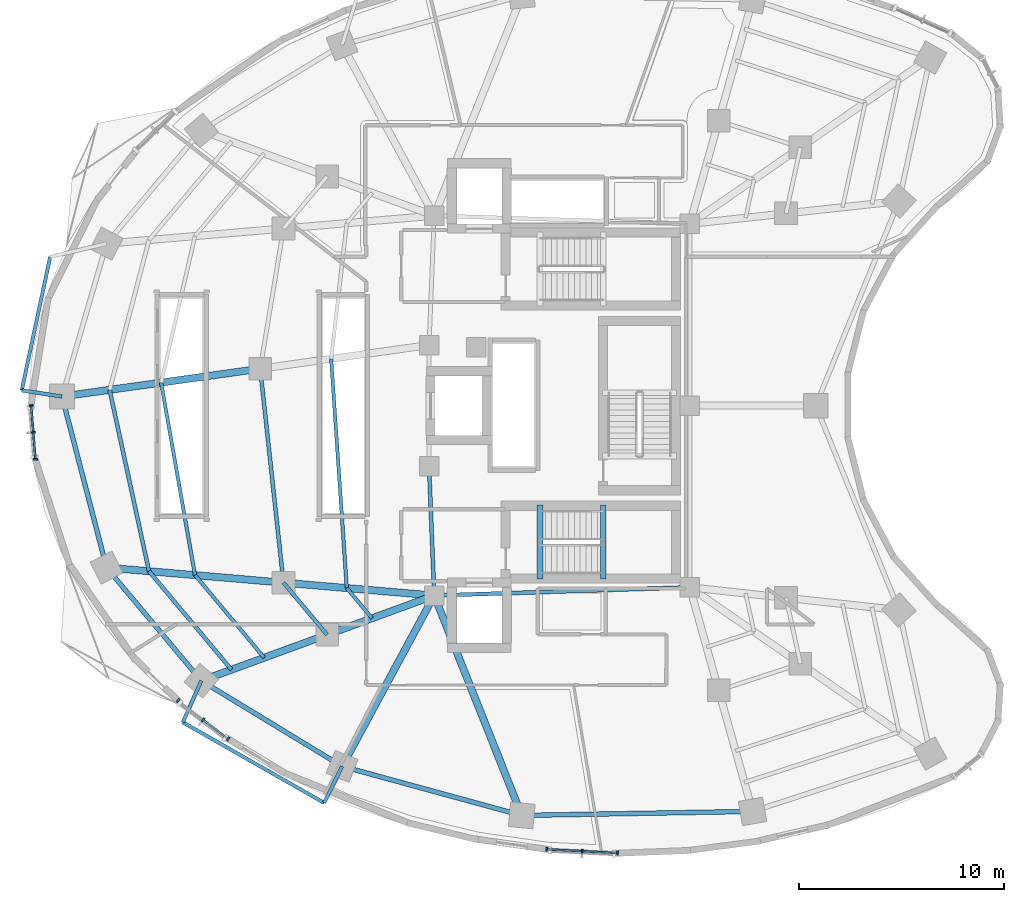
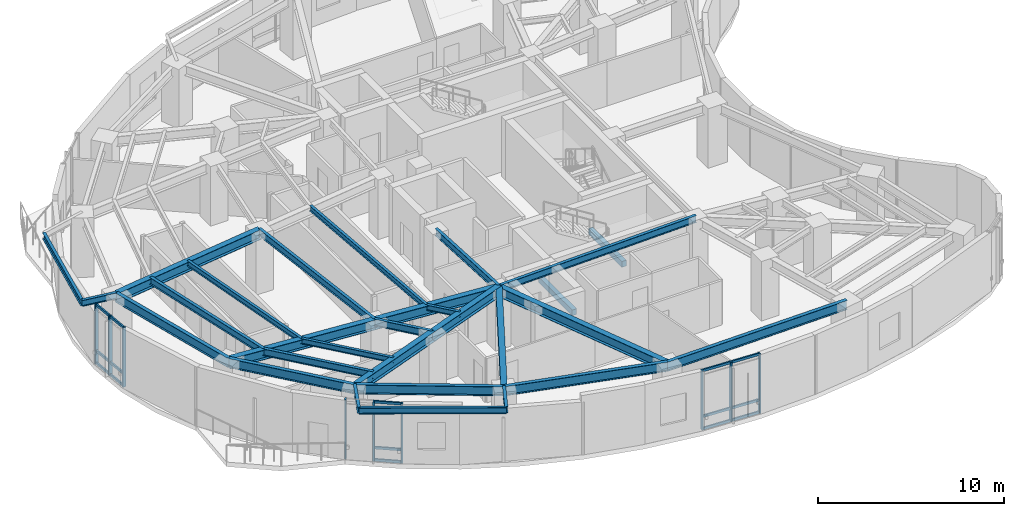
# One storey, part 2 of 14: 29 beams, 24 members, 3 elements without a shape of their own.
"""IFC4 building model written with IfcOpenShell, lengths in metres."""

from ifc_helpers import new_model, si_unit, direction, frame, origin, origin_2d, place, context, subcontext, project, spatial, rectangle, i_section, extrude, material, layer, layer_set, material_profile, profile_set, type_object, element, aggregate, save


model = new_model("IFC4")

# Units and contexts
model_context = context("Model", 3, precision=1e-05, world=origin(), true_north=direction((0.0, 1.0)))
body_context = subcontext(model_context, "Body", "Model", "MODEL_VIEW")
ifc_project = project(units=[si_unit("LENGTHUNIT", "METRE"), si_unit("AREAUNIT", "SQUARE_METRE"), si_unit("VOLUMEUNIT", "CUBIC_METRE"), si_unit("PLANEANGLEUNIT", "RADIAN"), si_unit("MASSUNIT", "GRAM", prefix="KILO")], contexts=[model_context])

# Site, building, storey
site_placement = place(None, origin())
site = spatial("IfcSite", under=ifc_project, at=site_placement, CompositionType="ELEMENT")
building_placement = place(site_placement, origin())
building = spatial("IfcBuilding", under=site, at=building_placement, Name="Korentha Bioscience Tower", CompositionType="ELEMENT")
storey_placement = place(building_placement, frame((0.0, 0.0, 132.0)))
storey = spatial("IfcBuildingStorey", under=building, at=storey_placement, Name="L30", CompositionType="ELEMENT", Elevation=132.0)

# Beams
ifc_material_1 = material(Name="Concrete C50", Category="concrete")
ifc_material_profile_1 = material_profile(ifc_material_1, rectangle(XDim=0.280029296875, YDim=0.3798828125, at=origin_2d()), Name="Concrete C50")
ifc_profile_set_1 = profile_set([ifc_material_profile_1], Name="Concrete C50 (ST-HB380)")
beam_type_1 = type_object("IfcBeamType", Name="Concrete Stair Header Beam RC 280x380", PredefinedType="BEAM", material=ifc_profile_set_1)
for number, where, z_axis, x_axis, name in (
    (1, (30.25, 18.550048828125, -0.18994140625), (0.0, 1.0, 0.0), (-1.0, 0.0, 0.0), "L30 ST-2 Concrete Stair Header Beam"),
    (2, (33.330078125, 18.550048828125, 1.909912109375), (0.0, 1.0, 0.0), (-1.0, 0.0, 0.0), "L30 ST-2 Half-Landing Header Beam 1"),
):
    element("IfcBeam", number, at=place(storey_placement, frame(where, z_axis=z_axis, x_axis=x_axis)), inside=storey, type_object=beam_type_1, Name=name, PredefinedType="BEAM", context=body_context, shape_type="SweptSolid", body=[
        extrude(rectangle(XDim=0.280029296875, YDim=0.3798828125, at=origin_2d()), origin(), (0.0, 0.0, 1.0), 3.599853515625),
    ])
ifc_material_2 = material(Name="Steel S355", Category="steel")
ifc_material_profile_2 = material_profile(ifc_material_2, i_section(OverallWidth=0.18994140625, OverallDepth=0.45703125, WebThickness=0.009033203125, FlangeThickness=0.014404296875, at=origin_2d()), Name="Steel S355")
ifc_profile_set_2 = profile_set([ifc_material_profile_2], Name="Steel S355 (MB-460)")
beam_type_2 = type_object("IfcBeamType", Name="Mid-Ring Tie Girder W460x74", PredefinedType="BEAM", material=ifc_profile_set_2)
beam_1_placement = place(storey_placement, frame((16.627197265625, 28.796630859375, 3.67138671875), z_axis=(0.108002632645, -0.994150607977, 0.0), x_axis=(0.994150607977, 0.108002632645, 0.0)))
element("IfcBeam", 3, at=beam_1_placement, inside=storey, type_object=beam_type_2, Name="L30 Mid-Ring Tie Girder 07", PredefinedType="BEAM", context=body_context, shape_type="SweptSolid", body=[
    extrude(i_section(OverallWidth=0.18994140625, OverallDepth=0.45703125, WebThickness=0.009033203125, FlangeThickness=0.014404296875, at=origin_2d()), origin(), (0.0, 0.0, 1.0), 10.48193359375),
])
beam_2_placement = place(storey_placement, frame((17.75927734375, 18.3759765625, 3.67138671875), z_axis=(0.642121371708, -0.766602989817, 0.0), x_axis=(0.766602989817, 0.642121371708, 0.0)))
element("IfcBeam", 4, at=beam_2_placement, inside=storey, type_object=beam_type_2, Name="L30 Mid-Ring Tie Girder 08", PredefinedType="BEAM", context=body_context, shape_type="SweptSolid", body=[
    extrude(i_section(OverallWidth=0.18994140625, OverallDepth=0.45703125, WebThickness=0.009033203125, FlangeThickness=0.014404296875, at=origin_2d()), origin(), (0.0, 0.0, 1.0), 3.306640625),
])
beam_3_placement = place(storey_placement, frame((24.85009765625, 24.050048828125, 3.67138671875), z_axis=(0.039651025576, -0.999213588864, 0.0), x_axis=(0.999213588864, 0.039651025576, 0.0)))
element("IfcBeam", 5, at=beam_3_placement, inside=storey, type_object=beam_type_2, Name="L30 Core Ring Tie Girder 04", PredefinedType="BEAM", context=body_context, shape_type="SweptSolid", body=[
    extrude(i_section(OverallWidth=0.18994140625, OverallDepth=0.45703125, WebThickness=0.009033203125, FlangeThickness=0.014404296875, at=origin_2d()), origin(), (0.0, 0.0, 1.0), 6.304931640625),
])
beam_4_placement = place(storey_placement, frame((25.10009765625, 17.75, 3.67138671875), z_axis=(0.999484526071, 0.032104238723, 0.0), x_axis=(-0.032104238723, 0.999484526071, 0.0)))
element("IfcBeam", 6, at=beam_4_placement, inside=storey, type_object=beam_type_2, Name="L30 Core Ring Tie Girder 05", PredefinedType="BEAM", context=body_context, shape_type="SweptSolid", body=[
    extrude(i_section(OverallWidth=0.18994140625, OverallDepth=0.45703125, WebThickness=0.009033203125, FlangeThickness=0.014404296875, at=origin_2d()), origin(), (0.0, 0.0, 1.0), 12.456298828125),
])

# Curtain wall, members
ifc_material_3 = material(Name="Thermally Broken Aluminium Frame", Category="aluminium")
ifc_layer = layer(ifc_material_3, 0.219970703125, Name="Thermally Broken Aluminium Frame")
ifc_layer_set = layer_set([ifc_layer], Name="Thermally Broken Aluminium Frame (CW-T2)")
curtain_wall_type = type_object("IfcCurtainWallType", Name="Solar-Screened Lab Unitised Curtain Wall CW-T2", PredefinedType="USERDEFINED", material=ifc_layer_set)
curtain_wall_1_placement = place(storey_placement, origin())
curtain_wall_1 = element("IfcCurtainWall", 7, at=curtain_wall_1_placement, inside=storey, type_object=curtain_wall_type, Name="L30 Curtain Wall 19", ObjectType="UNITISED", PredefinedType="USERDEFINED")
ifc_material_4 = material(Name="Anodised Aluminium 6063-T6", Category="aluminium")
ifc_material_profile_3 = material_profile(ifc_material_4, rectangle(XDim=0.090087890625, YDim=0.199951171875, at=origin_2d()), Name="Anodised Aluminium 6063-T6")
ifc_profile_set_3 = profile_set([ifc_material_profile_3], Name="Anodised Aluminium 6063-T6 (CW-MUL)")
member_type_1 = type_object("IfcMemberType", Name="Mullion RECT 90x200", PredefinedType="MULLION", material=ifc_profile_set_3)
member_1_placement = place(storey_placement, frame((5.473876953125, 27.0078125, 0.0), z_axis=(0.0, 0.0, 1.0), x_axis=(0.079130214674, -0.996864288219, 0.0)))
member_1 = element("IfcMember", 8, at=member_1_placement, type_object=member_type_1, Name="CW-L30-19 Mullion 1", PredefinedType="MULLION", context=body_context, shape_type="SweptSolid", body=[
    extrude(rectangle(XDim=0.090087890625, YDim=0.199951171875, at=origin_2d()), origin(), (0.0, 0.0, 1.0), 3.89990234375),
])
member_2_placement = place(storey_placement, frame((5.577880859375, 25.6962890625, 0.0), z_axis=(0.0, 0.0, 1.0), x_axis=(0.079130214674, -0.996864288219, 0.0)))
member_2 = element("IfcMember", 9, at=member_2_placement, type_object=member_type_1, Name="CW-L30-19 Mullion 2", PredefinedType="MULLION", context=body_context, shape_type="SweptSolid", body=[
    extrude(rectangle(XDim=0.090087890625, YDim=0.199951171875, at=origin_2d()), origin(), (0.0, 0.0, 1.0), 3.89990234375),
])
member_3_placement = place(storey_placement, frame((5.681884765625, 24.38525390625, 0.0), z_axis=(0.0, 0.0, 1.0), x_axis=(0.079130214674, -0.996864288219, 0.0)))
member_3 = element("IfcMember", 10, at=member_3_placement, type_object=member_type_1, Name="CW-L30-19 Mullion 3", PredefinedType="MULLION", context=body_context, shape_type="SweptSolid", body=[
    extrude(rectangle(XDim=0.090087890625, YDim=0.199951171875, at=origin_2d()), origin(), (0.0, 0.0, 1.0), 3.89990234375),
])

curtain_wall_2_placement = place(storey_placement, origin())
curtain_wall_2 = element("IfcCurtainWall", 11, at=curtain_wall_2_placement, inside=storey, type_object=curtain_wall_type, Name="L30 Curtain Wall 25", ObjectType="UNITISED", PredefinedType="USERDEFINED")
member_4_placement = place(storey_placement, frame((12.624267578125, 12.62890625, 0.0), z_axis=(0.0, 0.0, 1.0), x_axis=(0.794499603893, -0.607264669986, 0.0)))
member_4 = element("IfcMember", 12, at=member_4_placement, type_object=member_type_1, Name="CW-L30-25 Mullion 1", PredefinedType="MULLION", context=body_context, shape_type="SweptSolid", body=[
    extrude(rectangle(XDim=0.090087890625, YDim=0.199951171875, at=origin_2d()), origin(), (0.0, 0.0, 1.0), 3.89990234375),
])
member_5_placement = place(storey_placement, frame((13.844970703125, 11.69580078125, 0.0), z_axis=(0.0, 0.0, 1.0), x_axis=(0.794499603893, -0.607264669986, 0.0)))
member_5 = element("IfcMember", 13, at=member_5_placement, type_object=member_type_1, Name="CW-L30-25 Mullion 2", PredefinedType="MULLION", context=body_context, shape_type="SweptSolid", body=[
    extrude(rectangle(XDim=0.090087890625, YDim=0.199951171875, at=origin_2d()), origin(), (0.0, 0.0, 1.0), 3.89990234375),
])
member_6_placement = place(storey_placement, frame((15.0654296875, 10.7626953125, 0.0), z_axis=(0.0, 0.0, 1.0), x_axis=(0.794499603893, -0.607264669986, 0.0)))
member_6 = element("IfcMember", 14, at=member_6_placement, type_object=member_type_1, Name="CW-L30-25 Mullion 3", PredefinedType="MULLION", context=body_context, shape_type="SweptSolid", body=[
    extrude(rectangle(XDim=0.090087890625, YDim=0.199951171875, at=origin_2d()), origin(), (0.0, 0.0, 1.0), 3.89990234375),
])

curtain_wall_3_placement = place(storey_placement, origin())
curtain_wall_3 = element("IfcCurtainWall", 15, at=curtain_wall_3_placement, inside=storey, type_object=curtain_wall_type, Name="L30 Curtain Wall 31", ObjectType="UNITISED", PredefinedType="USERDEFINED")
member_7_placement = place(storey_placement, frame((30.571533203125, 5.39111328125, 0.0), z_axis=(0.0, 0.0, 1.0), x_axis=(0.998673231344, -0.051495407527, 0.0)))
member_7 = element("IfcMember", 16, at=member_7_placement, type_object=member_type_1, Name="CW-L30-31 Mullion 1", PredefinedType="MULLION", context=body_context, shape_type="SweptSolid", body=[
    extrude(rectangle(XDim=0.090087890625, YDim=0.199951171875, at=origin_2d()), origin(), (0.0, 0.0, 1.0), 3.89990234375),
])
member_8_placement = place(storey_placement, frame((32.301025390625, 5.302001953125, 0.0), z_axis=(0.0, 0.0, 1.0), x_axis=(0.998673231344, -0.051495407527, 0.0)))
member_8 = element("IfcMember", 17, at=member_8_placement, type_object=member_type_1, Name="CW-L30-31 Mullion 2", PredefinedType="MULLION", context=body_context, shape_type="SweptSolid", body=[
    extrude(rectangle(XDim=0.090087890625, YDim=0.199951171875, at=origin_2d()), origin(), (0.0, 0.0, 1.0), 3.89990234375),
])
member_9_placement = place(storey_placement, frame((34.03076171875, 5.212646484375, 0.0), z_axis=(0.0, 0.0, 1.0), x_axis=(0.998673231344, -0.051495407527, 0.0)))
member_9 = element("IfcMember", 18, at=member_9_placement, type_object=member_type_1, Name="CW-L30-31 Mullion 3", PredefinedType="MULLION", context=body_context, shape_type="SweptSolid", body=[
    extrude(rectangle(XDim=0.090087890625, YDim=0.199951171875, at=origin_2d()), origin(), (0.0, 0.0, 1.0), 3.89990234375),
])

# Beams
ifc_material_profile_4 = material_profile(ifc_material_2, i_section(OverallWidth=0.22802734375, OverallDepth=0.60791015625, WebThickness=0.01123046875, FlangeThickness=0.017333984375, at=origin_2d()), Name="Steel S355")
ifc_profile_set_4 = profile_set([ifc_material_profile_4], Name="Steel S355 (SB-610)")
beam_type_3 = type_object("IfcBeamType", Name="Perimeter Ring Spandrel Girder W610x113", PredefinedType="SPANDREL", material=ifc_profile_set_4)
beam_5_placement = place(storey_placement, frame((6.97412109375, 27.4423828125, 3.595947265625), z_axis=(0.251792692694, -0.96778119423, 0.0), x_axis=(0.96778119423, 0.251792692694, 0.0)))
element("IfcBeam", 19, at=beam_5_placement, inside=storey, type_object=beam_type_3, Name="L30 Perimeter Spandrel Girder 07", PredefinedType="SPANDREL", context=body_context, shape_type="SweptSolid", body=[
    extrude(i_section(OverallWidth=0.22802734375, OverallDepth=0.60791015625, WebThickness=0.01123046875, FlangeThickness=0.017333984375, at=origin_2d()), origin(), (0.0, 0.0, 1.0), 8.609130859375),
])
beam_6_placement = place(storey_placement, frame((9.141845703125, 19.110595703125, 3.595947265625), z_axis=(0.642126556076, -0.76659864726, 0.0), x_axis=(0.76659864726, 0.642126556076, 0.0)))
element("IfcBeam", 20, at=beam_6_placement, inside=storey, type_object=beam_type_3, Name="L30 Perimeter Spandrel Girder 08", PredefinedType="SPANDREL", context=body_context, shape_type="SweptSolid", body=[
    extrude(i_section(OverallWidth=0.22802734375, OverallDepth=0.60791015625, WebThickness=0.01123046875, FlangeThickness=0.017333984375, at=origin_2d()), origin(), (0.0, 0.0, 1.0), 7.1884765625),
])
beam_7_placement = place(storey_placement, frame((13.7578125, 13.599853515625, 3.595947265625), z_axis=(0.854461040474, -0.51951547649, 0.0), x_axis=(0.51951547649, 0.854461040474, 0.0)))
element("IfcBeam", 21, at=beam_7_placement, inside=storey, type_object=beam_type_3, Name="L30 Perimeter Spandrel Girder 09", PredefinedType="SPANDREL", context=body_context, shape_type="SweptSolid", body=[
    extrude(i_section(OverallWidth=0.22802734375, OverallDepth=0.60791015625, WebThickness=0.01123046875, FlangeThickness=0.017333984375, at=origin_2d()), origin(), (0.0, 0.0, 1.0), 8.025146484375),
])
beam_8_placement = place(storey_placement, frame((20.614990234375, 9.4306640625, 3.595947265625), z_axis=(0.964659386444, -0.263500034431, 0.0), x_axis=(0.263500034431, 0.964659386444, 0.0)))
element("IfcBeam", 22, at=beam_8_placement, inside=storey, type_object=beam_type_3, Name="L30 Perimeter Spandrel Girder 10", PredefinedType="SPANDREL", context=body_context, shape_type="SweptSolid", body=[
    extrude(i_section(OverallWidth=0.22802734375, OverallDepth=0.60791015625, WebThickness=0.01123046875, FlangeThickness=0.017333984375, at=origin_2d()), origin(), (0.0, 0.0, 1.0), 9.06982421875),
])
beam_9_placement = place(storey_placement, frame((29.3642578125, 7.040771484375, 3.595947265625), z_axis=(0.999850566826, 0.017287105523, 0.0), x_axis=(-0.017287105523, 0.999850566826, 0.0)))
element("IfcBeam", 23, at=beam_9_placement, inside=storey, type_object=beam_type_3, Name="L30 Perimeter Spandrel Girder 11", PredefinedType="SPANDREL", context=body_context, shape_type="SweptSolid", body=[
    extrude(i_section(OverallWidth=0.22802734375, OverallDepth=0.60791015625, WebThickness=0.01123046875, FlangeThickness=0.017333984375, at=origin_2d()), origin(), (0.0, 0.0, 1.0), 11.24169921875),
])
ifc_material_profile_5 = material_profile(ifc_material_2, i_section(OverallWidth=0.18994140625, OverallDepth=0.45703125, WebThickness=0.009033203125, FlangeThickness=0.014404296875, at=origin_2d()), Name="Steel S355")
ifc_profile_set_5 = profile_set([ifc_material_profile_5], Name="Steel S355 (RB-460)")
beam_type_4 = type_object("IfcBeamType", Name="Radial Laboratory Beam W460x74", PredefinedType="BEAM", material=ifc_profile_set_5)
beam_10_placement = place(storey_placement, frame((9.291015625, 27.767578125, 3.67138671875), z_axis=(0.212289478944, -0.977206824132, 0.0), x_axis=(0.977206824132, 0.212289478944, 0.0)))
element("IfcBeam", 24, at=beam_10_placement, inside=storey, type_object=beam_type_4, Name="L30 Secondary Floor Beam JSTO-07", PredefinedType="BEAM", context=body_context, shape_type="SweptSolid", body=[
    extrude(i_section(OverallWidth=0.18994140625, OverallDepth=0.45703125, WebThickness=0.009033203125, FlangeThickness=0.014404296875, at=origin_2d()), origin(), (0.0, 0.0, 1.0), 9.039306640625),
])
beam_11_placement = place(storey_placement, frame((11.2099609375, 18.934326171875, 3.67138671875), z_axis=(0.642128156066, -0.766597307057, 0.0), x_axis=(0.766597307057, 0.642128156066, 0.0)))
element("IfcBeam", 25, at=beam_11_placement, inside=storey, type_object=beam_type_4, Name="L30 Secondary Floor Beam JSTO-08", PredefinedType="BEAM", context=body_context, shape_type="SweptSolid", body=[
    extrude(i_section(OverallWidth=0.18994140625, OverallDepth=0.45703125, WebThickness=0.009033203125, FlangeThickness=0.014404296875, at=origin_2d()), origin(), (0.0, 0.0, 1.0), 6.257080078125),
])
ifc_material_profile_6 = material_profile(ifc_material_2, i_section(OverallWidth=0.35009765625, OverallDepth=0.64990234375, WebThickness=0.01611328125, FlangeThickness=0.02490234375, at=origin_2d()), Name="Steel S355")
ifc_profile_set_6 = profile_set([ifc_material_profile_6], Name="Steel S355 (RB-650)")
beam_type_5 = type_object("IfcBeamType", Name="Radial Laboratory Girder CVS 650x208", PredefinedType="BEAM", material=ifc_profile_set_6)
beam_12_placement = place(storey_placement, frame((16.627197265625, 28.796630859375, 3.574951171875), z_axis=(-0.99030201931, -0.138931315944, 0.0), x_axis=(0.138931315944, -0.99030201931, 0.0)))
element("IfcBeam", 26, at=beam_12_placement, inside=storey, type_object=beam_type_5, Name="L30 Outer Radial Girder 07", PredefinedType="BEAM", context=body_context, shape_type="SweptSolid", body=[
    extrude(i_section(OverallWidth=0.35009765625, OverallDepth=0.64990234375, WebThickness=0.01611328125, FlangeThickness=0.02490234375, at=origin_2d()), origin(), (0.0, 0.0, 1.0), 9.74755859375),
])
beam_13_placement = place(storey_placement, frame((25.10009765625, 17.75, 3.574951171875), z_axis=(-0.996383934197, 0.084965026183, 0.0), x_axis=(-0.084965026183, -0.996383934197, 0.0)))
element("IfcBeam", 27, at=beam_13_placement, inside=storey, type_object=beam_type_5, Name="L30 Inner Radial Girder 08", PredefinedType="BEAM", context=body_context, shape_type="SweptSolid", body=[
    extrude(i_section(OverallWidth=0.35009765625, OverallDepth=0.64990234375, WebThickness=0.01611328125, FlangeThickness=0.02490234375, at=origin_2d()), origin(), (0.0, 0.0, 1.0), 7.367431640625),
])
beam_14_placement = place(storey_placement, frame((17.75927734375, 18.3759765625, 3.574951171875), z_axis=(-0.996386071548, 0.084939957767, 0.0), x_axis=(-0.084939957767, -0.996386071548, 0.0)))
element("IfcBeam", 28, at=beam_14_placement, inside=storey, type_object=beam_type_5, Name="L30 Outer Radial Girder 08", PredefinedType="BEAM", context=body_context, shape_type="SweptSolid", body=[
    extrude(i_section(OverallWidth=0.35009765625, OverallDepth=0.64990234375, WebThickness=0.01611328125, FlangeThickness=0.02490234375, at=origin_2d()), origin(), (0.0, 0.0, 1.0), 8.648681640625),
])
beam_15_placement = place(storey_placement, frame((25.10009765625, 17.75, 3.574951171875), z_axis=(-0.939118010396, -0.343594765022, 0.0), x_axis=(0.343594765022, -0.939118010396, 0.0)))
element("IfcBeam", 29, at=beam_15_placement, inside=storey, type_object=beam_type_5, Name="L30 Inner Radial Girder 09", PredefinedType="BEAM", context=body_context, shape_type="SweptSolid", body=[
    extrude(i_section(OverallWidth=0.35009765625, OverallDepth=0.64990234375, WebThickness=0.01611328125, FlangeThickness=0.02490234375, at=origin_2d()), origin(), (0.0, 0.0, 1.0), 5.5556640625),
])
beam_16_placement = place(storey_placement, frame((19.882568359375, 15.841064453125, 3.574951171875), z_axis=(-0.939100755225, -0.343641923425, 0.0), x_axis=(0.343641923425, -0.939100755225, 0.0)))
element("IfcBeam", 30, at=beam_16_placement, inside=storey, type_object=beam_type_5, Name="L30 Outer Radial Girder 09", PredefinedType="BEAM", context=body_context, shape_type="SweptSolid", body=[
    extrude(i_section(OverallWidth=0.35009765625, OverallDepth=0.64990234375, WebThickness=0.01611328125, FlangeThickness=0.02490234375, at=origin_2d()), origin(), (0.0, 0.0, 1.0), 6.52197265625),
])
beam_17_placement = place(storey_placement, frame((25.10009765625, 17.75, 3.574951171875), z_axis=(-0.474548018732, -0.880229616587, 0.0), x_axis=(0.880229616587, -0.474548018732, 0.0)))
element("IfcBeam", 31, at=beam_17_placement, inside=storey, type_object=beam_type_5, Name="L30 Radial Girder 10", PredefinedType="BEAM", context=body_context, shape_type="SweptSolid", body=[
    extrude(i_section(OverallWidth=0.35009765625, OverallDepth=0.64990234375, WebThickness=0.01611328125, FlangeThickness=0.02490234375, at=origin_2d()), origin(), (0.0, 0.0, 1.0), 9.451416015625),
])
beam_18_placement = place(storey_placement, frame((25.10009765625, 17.75, 3.574951171875), z_axis=(0.369929528493, -0.929059817207, 0.0), x_axis=(0.929059817207, 0.369929528493, 0.0)))
element("IfcBeam", 32, at=beam_18_placement, inside=storey, type_object=beam_type_5, Name="L30 Radial Girder 11", PredefinedType="BEAM", context=body_context, shape_type="SweptSolid", body=[
    extrude(i_section(OverallWidth=0.35009765625, OverallDepth=0.64990234375, WebThickness=0.01611328125, FlangeThickness=0.02490234375, at=origin_2d()), origin(), (0.0, 0.0, 1.0), 11.52685546875),
])
ifc_material_profile_7 = material_profile(ifc_material_2, i_section(OverallWidth=0.1708984375, OverallDepth=0.35498046875, WebThickness=0.007080078125, FlangeThickness=0.01171875, at=origin_2d()), Name="Steel S355")
ifc_profile_set_7 = profile_set([ifc_material_profile_7], Name="Steel S355 (JB-360)")
beam_type_6 = type_object("IfcBeamType", Name="Secondary Laboratory Joist W360x51", PredefinedType="JOIST", material=ifc_profile_set_7)
beam_19_placement = place(storey_placement, frame((11.800537109375, 28.11962890625, 3.722412109375), z_axis=(0.173304009699, -0.984868377105, 0.0), x_axis=(0.984868377105, 0.173304009699, 0.0)))
element("IfcBeam", 33, at=beam_19_placement, inside=storey, type_object=beam_type_6, Name="L30 Secondary Floor Beam JST-07", PredefinedType="JOIST", context=body_context, shape_type="SweptSolid", body=[
    extrude(i_section(OverallWidth=0.1708984375, OverallDepth=0.35498046875, WebThickness=0.007080078125, FlangeThickness=0.01171875, at=origin_2d()), origin(), (0.0, 0.0, 1.0), 9.520263671875),
])
beam_20_placement = place(storey_placement, frame((20.080810546875, 29.281005859375, 3.722412109375), z_axis=(0.068025861704, -0.997683558118, 0.0), x_axis=(0.997683558118, 0.068025861704, 0.0)))
element("IfcBeam", 34, at=beam_20_placement, inside=storey, type_object=beam_type_6, Name="L30 Inner Bay Joist 07", PredefinedType="JOIST", context=body_context, shape_type="SweptSolid", body=[
    extrude(i_section(OverallWidth=0.1708984375, OverallDepth=0.35498046875, WebThickness=0.007080078125, FlangeThickness=0.01171875, at=origin_2d()), origin(), (0.0, 0.0, 1.0), 11.19384765625),
])
beam_21_placement = place(storey_placement, frame((13.450439453125, 18.743408203125, 3.722412109375), z_axis=(0.642140812018, -0.76658670582, 0.0), x_axis=(0.76658670582, 0.642140812018, 0.0)))
element("IfcBeam", 35, at=beam_21_placement, inside=storey, type_object=beam_type_6, Name="L30 Secondary Floor Beam JST-08", PredefinedType="JOIST", context=body_context, shape_type="SweptSolid", body=[
    extrude(i_section(OverallWidth=0.1708984375, OverallDepth=0.35498046875, WebThickness=0.007080078125, FlangeThickness=0.01171875, at=origin_2d()), origin(), (0.0, 0.0, 1.0), 5.247802734375),
])
beam_22_placement = place(storey_placement, frame((20.84228515625, 18.113037109375, 3.722412109375), z_axis=(0.64218549873, -0.766549271229, 0.0), x_axis=(0.766549271229, 0.64218549873, 0.0)))
element("IfcBeam", 36, at=beam_22_placement, inside=storey, type_object=beam_type_6, Name="L30 Inner Bay Joist 08", PredefinedType="JOIST", context=body_context, shape_type="SweptSolid", body=[
    extrude(i_section(OverallWidth=0.1708984375, OverallDepth=0.35498046875, WebThickness=0.007080078125, FlangeThickness=0.01171875, at=origin_2d()), origin(), (0.0, 0.0, 1.0), 1.91796875),
])
ifc_material_profile_8 = material_profile(ifc_material_2, i_section(OverallWidth=0.177978515625, OverallDepth=0.406982421875, WebThickness=0.0078125, FlangeThickness=0.0126953125, at=origin_2d()), Name="Steel S355")
ifc_profile_set_8 = profile_set([ifc_material_profile_8], Name="Steel S355 (CB-410)")
beam_type_7 = type_object("IfcBeamType", Name="Sun-Ledge Cantilever Beam W410x60", PredefinedType="BEAM", material=ifc_profile_set_8)
beam_23_placement = place(storey_placement, frame((6.97412109375, 27.4423828125, 3.698486328125), z_axis=(-0.988449844693, 0.151548357058, 0.0), x_axis=(-0.151548357058, -0.988449844693, 0.0)))
element("IfcBeam", 37, at=beam_23_placement, inside=storey, type_object=beam_type_7, Name="L30 Balcony Cantilever Bracket B-L31-02", PredefinedType="BEAM", context=body_context, shape_type="SweptSolid", body=[
    extrude(i_section(OverallWidth=0.177978515625, OverallDepth=0.406982421875, WebThickness=0.0078125, FlangeThickness=0.0126953125, at=origin_2d()), origin(), (0.0, 0.0, 1.0), 1.983154296875),
])
beam_24_placement = place(storey_placement, frame((6.396240234375, 34.241943359375, 3.698486328125), z_axis=(-0.208043322496, -0.978119612299, 0.0), x_axis=(0.978119612299, -0.208043322496, 0.0)))
element("IfcBeam", 38, at=beam_24_placement, inside=storey, type_object=beam_type_7, Name="L30 Balcony Edge Trimmer Beam L31-02", PredefinedType="BEAM", context=body_context, shape_type="SweptSolid", body=[
    extrude(i_section(OverallWidth=0.177978515625, OverallDepth=0.406982421875, WebThickness=0.0078125, FlangeThickness=0.0126953125, at=origin_2d()), origin(), (0.0, 0.0, 1.0), 6.644287109375),
])
beam_25_placement = place(storey_placement, frame((13.7578125, 13.599853515625, 3.698486328125), z_axis=(-0.405872529473, -0.913929696322, 0.0), x_axis=(0.913929696322, -0.405872529473, 0.0)))
element("IfcBeam", 39, at=beam_25_placement, inside=storey, type_object=beam_type_7, Name="L30 Balcony Cantilever Bracket A-L31-03", PredefinedType="BEAM", context=body_context, shape_type="SweptSolid", body=[
    extrude(i_section(OverallWidth=0.177978515625, OverallDepth=0.406982421875, WebThickness=0.0078125, FlangeThickness=0.0126953125, at=origin_2d()), origin(), (0.0, 0.0, 1.0), 2.21484375),
])
beam_26_placement = place(storey_placement, frame((20.614990234375, 9.4306640625, 3.698486328125), z_axis=(-0.442573573107, -0.896732196582, 0.0), x_axis=(0.896732196582, -0.442573573107, 0.0)))
element("IfcBeam", 40, at=beam_26_placement, inside=storey, type_object=beam_type_7, Name="L30 Balcony Cantilever Bracket B-L31-03", PredefinedType="BEAM", context=body_context, shape_type="SweptSolid", body=[
    extrude(i_section(OverallWidth=0.177978515625, OverallDepth=0.406982421875, WebThickness=0.0078125, FlangeThickness=0.0126953125, at=origin_2d()), origin(), (0.0, 0.0, 1.0), 1.98095703125),
])
beam_27_placement = place(storey_placement, frame((12.85888671875, 11.57568359375, 3.698486328125), z_axis=(0.868770107345, -0.495215610198, 0.0), x_axis=(0.495215610198, 0.868770107345, 0.0)))
element("IfcBeam", 41, at=beam_27_placement, inside=storey, type_object=beam_type_7, Name="L30 Balcony Edge Trimmer Beam L31-03", PredefinedType="BEAM", context=body_context, shape_type="SweptSolid", body=[
    extrude(i_section(OverallWidth=0.177978515625, OverallDepth=0.406982421875, WebThickness=0.0078125, FlangeThickness=0.0126953125, at=origin_2d()), origin(), (0.0, 0.0, 1.0), 7.91845703125),
])

# Member
ifc_material_profile_9 = material_profile(ifc_material_4, rectangle(XDim=0.090087890625, YDim=0.159912109375, at=origin_2d()), Name="Anodised Aluminium 6063-T6")
ifc_profile_set_9 = profile_set([ifc_material_profile_9], Name="Anodised Aluminium 6063-T6 (CW-TRN)")
member_type_2 = type_object("IfcMemberType", Name="Transom RECT 90x160", PredefinedType="USERDEFINED", material=ifc_profile_set_9)
member_10_placement = place(storey_placement, frame((5.477294921875, 26.962890625, 0.044921875), z_axis=(0.079285983344, -0.996851911191, 0.0), x_axis=(0.996851911191, 0.079285983344, 0.0)))
member_10 = element("IfcMember", 42, at=member_10_placement, type_object=member_type_2, Name="CW-L30-19 Bay 1 Transom 1", ObjectType="TRANSOM", PredefinedType="USERDEFINED", context=body_context, shape_type="SweptSolid", body=[
    extrude(rectangle(XDim=0.090087890625, YDim=0.159912109375, at=origin_2d()), origin(), (0.0, 0.0, 1.0), 1.2255859375),
])

member_11_placement = place(storey_placement, frame((5.477294921875, 26.962890625, 0.85009765625), z_axis=(0.079285983344, -0.996851911191, 0.0), x_axis=(0.996851911191, 0.079285983344, 0.0)))
member_11 = element("IfcMember", 43, at=member_11_placement, type_object=member_type_2, Name="CW-L30-19 Bay 1 Transom 2", ObjectType="TRANSOM", PredefinedType="USERDEFINED", context=body_context, shape_type="SweptSolid", body=[
    extrude(rectangle(XDim=0.090087890625, YDim=0.159912109375, at=origin_2d()), origin(), (0.0, 0.0, 1.0), 1.2255859375),
])

member_12_placement = place(storey_placement, frame((5.477294921875, 26.962890625, 3.85498046875), z_axis=(0.079285983344, -0.996851911191, 0.0), x_axis=(0.996851911191, 0.079285983344, 0.0)))
member_12 = element("IfcMember", 44, at=member_12_placement, type_object=member_type_2, Name="CW-L30-19 Bay 1 Transom 3", ObjectType="TRANSOM", PredefinedType="USERDEFINED", context=body_context, shape_type="SweptSolid", body=[
    extrude(rectangle(XDim=0.090087890625, YDim=0.159912109375, at=origin_2d()), origin(), (0.0, 0.0, 1.0), 1.2255859375),
])

member_13_placement = place(storey_placement, frame((5.58154296875, 25.651611328125, 0.044921875), z_axis=(0.079088019938, -0.996867636701, 0.0), x_axis=(0.996867636701, 0.079088019938, 0.0)))
member_13 = element("IfcMember", 45, at=member_13_placement, type_object=member_type_2, Name="CW-L30-19 Bay 2 Transom 1", ObjectType="TRANSOM", PredefinedType="USERDEFINED", context=body_context, shape_type="SweptSolid", body=[
    extrude(rectangle(XDim=0.090087890625, YDim=0.159912109375, at=origin_2d()), origin(), (0.0, 0.0, 1.0), 1.2255859375),
])

member_14_placement = place(storey_placement, frame((5.58154296875, 25.651611328125, 0.85009765625), z_axis=(0.079088019938, -0.996867636701, 0.0), x_axis=(0.996867636701, 0.079088019938, 0.0)))
member_14 = element("IfcMember", 46, at=member_14_placement, type_object=member_type_2, Name="CW-L30-19 Bay 2 Transom 2", ObjectType="TRANSOM", PredefinedType="USERDEFINED", context=body_context, shape_type="SweptSolid", body=[
    extrude(rectangle(XDim=0.090087890625, YDim=0.159912109375, at=origin_2d()), origin(), (0.0, 0.0, 1.0), 1.2255859375),
])

member_15_placement = place(storey_placement, frame((5.58154296875, 25.651611328125, 3.85498046875), z_axis=(0.079088019938, -0.996867636701, 0.0), x_axis=(0.996867636701, 0.079088019938, 0.0)))
member_15 = element("IfcMember", 47, at=member_15_placement, type_object=member_type_2, Name="CW-L30-19 Bay 2 Transom 3", ObjectType="TRANSOM", PredefinedType="USERDEFINED", context=body_context, shape_type="SweptSolid", body=[
    extrude(rectangle(XDim=0.090087890625, YDim=0.159912109375, at=origin_2d()), origin(), (0.0, 0.0, 1.0), 1.2255859375),
])

aggregate(curtain_wall_1, [member_1, member_2, member_3, member_10, member_11, member_12, member_13, member_14, member_15])

member_16_placement = place(storey_placement, frame((13.880615234375, 11.66845703125, 0.044921875), z_axis=(0.794477589546, -0.607293470828, 0.0), x_axis=(0.607293470828, 0.794477589546, 0.0)))
member_16 = element("IfcMember", 48, at=member_16_placement, type_object=member_type_2, Name="CW-L30-25 Bay 2 Transom 1", ObjectType="TRANSOM", PredefinedType="USERDEFINED", context=body_context, shape_type="SweptSolid", body=[
    extrude(rectangle(XDim=0.090087890625, YDim=0.159912109375, at=origin_2d()), origin(), (0.0, 0.0, 1.0), 1.446533203125),
])

member_17_placement = place(storey_placement, frame((13.880615234375, 11.66845703125, 0.85009765625), z_axis=(0.794477589546, -0.607293470828, 0.0), x_axis=(0.607293470828, 0.794477589546, 0.0)))
member_17 = element("IfcMember", 49, at=member_17_placement, type_object=member_type_2, Name="CW-L30-25 Bay 2 Transom 2", ObjectType="TRANSOM", PredefinedType="USERDEFINED", context=body_context, shape_type="SweptSolid", body=[
    extrude(rectangle(XDim=0.090087890625, YDim=0.159912109375, at=origin_2d()), origin(), (0.0, 0.0, 1.0), 1.446533203125),
])

member_18_placement = place(storey_placement, frame((13.880615234375, 11.66845703125, 3.85498046875), z_axis=(0.794477589546, -0.607293470828, 0.0), x_axis=(0.607293470828, 0.794477589546, 0.0)))
member_18 = element("IfcMember", 50, at=member_18_placement, type_object=member_type_2, Name="CW-L30-25 Bay 2 Transom 3", ObjectType="TRANSOM", PredefinedType="USERDEFINED", context=body_context, shape_type="SweptSolid", body=[
    extrude(rectangle(XDim=0.090087890625, YDim=0.159912109375, at=origin_2d()), origin(), (0.0, 0.0, 1.0), 1.446533203125),
])

aggregate(curtain_wall_2, [member_4, member_5, member_6, member_16, member_17, member_18])

member_19_placement = place(storey_placement, frame((30.616455078125, 5.388916015625, 0.044921875), z_axis=(0.998667892989, -0.05159883247, 0.0), x_axis=(0.05159883247, 0.998667892989, 0.0)))
member_19 = element("IfcMember", 51, at=member_19_placement, type_object=member_type_2, Name="CW-L30-31 Bay 1 Transom 1", ObjectType="TRANSOM", PredefinedType="USERDEFINED", context=body_context, shape_type="SweptSolid", body=[
    extrude(rectangle(XDim=0.090087890625, YDim=0.159912109375, at=origin_2d()), origin(), (0.0, 0.0, 1.0), 1.641845703125),
])

member_20_placement = place(storey_placement, frame((30.616455078125, 5.388916015625, 0.85009765625), z_axis=(0.998667892989, -0.05159883247, 0.0), x_axis=(0.05159883247, 0.998667892989, 0.0)))
member_20 = element("IfcMember", 52, at=member_20_placement, type_object=member_type_2, Name="CW-L30-31 Bay 1 Transom 2", ObjectType="TRANSOM", PredefinedType="USERDEFINED", context=body_context, shape_type="SweptSolid", body=[
    extrude(rectangle(XDim=0.090087890625, YDim=0.159912109375, at=origin_2d()), origin(), (0.0, 0.0, 1.0), 1.641845703125),
])

member_21_placement = place(storey_placement, frame((30.616455078125, 5.388916015625, 3.85498046875), z_axis=(0.998667892989, -0.05159883247, 0.0), x_axis=(0.05159883247, 0.998667892989, 0.0)))
member_21 = element("IfcMember", 53, at=member_21_placement, type_object=member_type_2, Name="CW-L30-31 Bay 1 Transom 3", ObjectType="TRANSOM", PredefinedType="USERDEFINED", context=body_context, shape_type="SweptSolid", body=[
    extrude(rectangle(XDim=0.090087890625, YDim=0.159912109375, at=origin_2d()), origin(), (0.0, 0.0, 1.0), 1.641845703125),
])

member_22_placement = place(storey_placement, frame((32.345947265625, 5.299560546875, 0.044921875), z_axis=(0.998675544552, -0.051450526863, 0.0), x_axis=(0.051450526863, 0.998675544552, 0.0)))
member_22 = element("IfcMember", 54, at=member_22_placement, type_object=member_type_2, Name="CW-L30-31 Bay 2 Transom 1", ObjectType="TRANSOM", PredefinedType="USERDEFINED", context=body_context, shape_type="SweptSolid", body=[
    extrude(rectangle(XDim=0.090087890625, YDim=0.159912109375, at=origin_2d()), origin(), (0.0, 0.0, 1.0), 1.641845703125),
])

member_23_placement = place(storey_placement, frame((32.345947265625, 5.299560546875, 0.85009765625), z_axis=(0.998675544552, -0.051450526863, 0.0), x_axis=(0.051450526863, 0.998675544552, 0.0)))
member_23 = element("IfcMember", 55, at=member_23_placement, type_object=member_type_2, Name="CW-L30-31 Bay 2 Transom 2", ObjectType="TRANSOM", PredefinedType="USERDEFINED", context=body_context, shape_type="SweptSolid", body=[
    extrude(rectangle(XDim=0.090087890625, YDim=0.159912109375, at=origin_2d()), origin(), (0.0, 0.0, 1.0), 1.641845703125),
])

member_24_placement = place(storey_placement, frame((32.345947265625, 5.299560546875, 3.85498046875), z_axis=(0.998675544552, -0.051450526863, 0.0), x_axis=(0.051450526863, 0.998675544552, 0.0)))
member_24 = element("IfcMember", 56, at=member_24_placement, type_object=member_type_2, Name="CW-L30-31 Bay 2 Transom 3", ObjectType="TRANSOM", PredefinedType="USERDEFINED", context=body_context, shape_type="SweptSolid", body=[
    extrude(rectangle(XDim=0.090087890625, YDim=0.159912109375, at=origin_2d()), origin(), (0.0, 0.0, 1.0), 1.641845703125),
])

aggregate(curtain_wall_3, [member_7, member_8, member_9, member_19, member_20, member_21, member_22, member_23, member_24])

save(model, "model.ifc")
